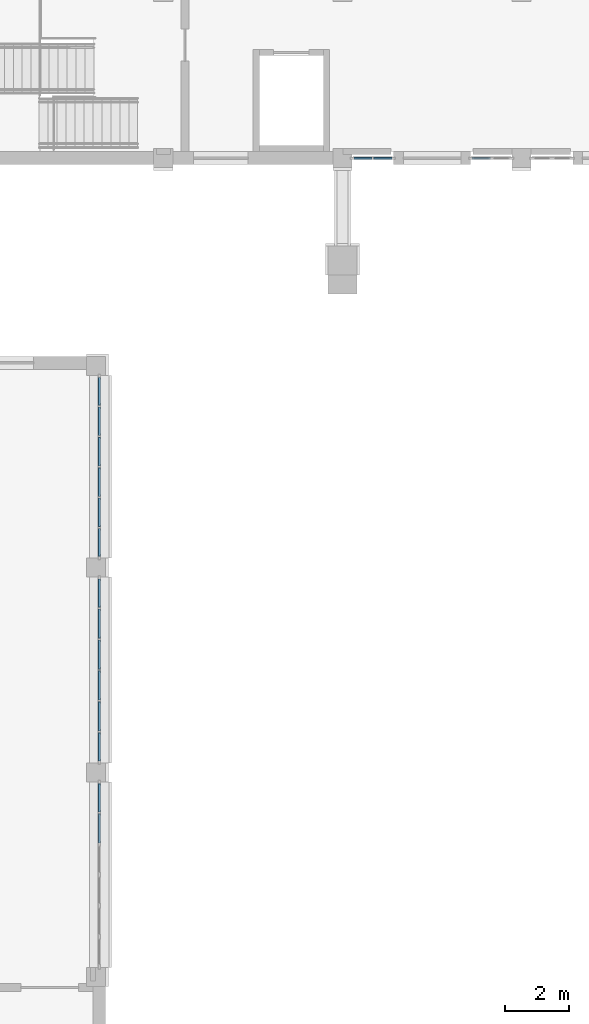
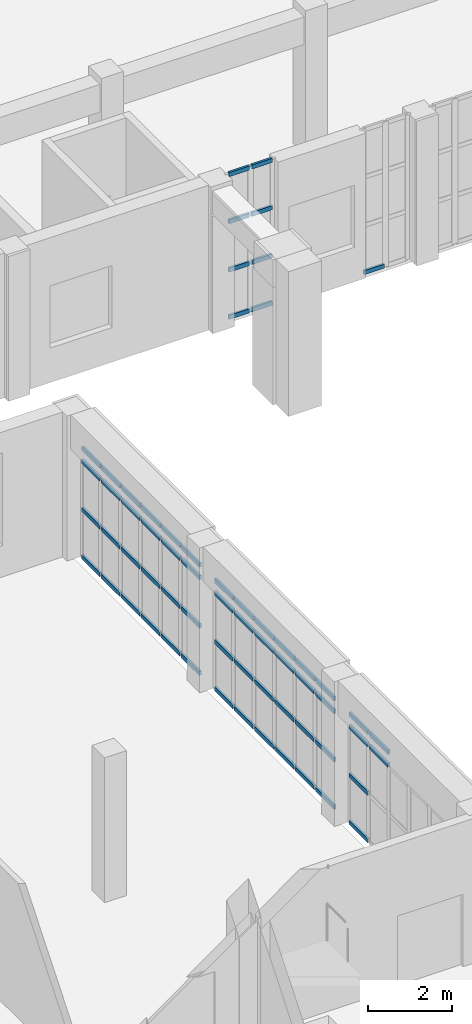
# One storey, part 35 of 99: 63 members, 5 elements without a shape of their own.
"""IFC4 building model written with IfcOpenShell, lengths in metres."""

import ifcopenshell
import ifcopenshell.guid

model = None  # the IFC model being written
_history = None  # IfcOwnerHistory: only IFC2X3 demands one
_inside = {}  # id of a spatial element -> (the spatial element, [elements in it])
_under = {}  # id of a project, library or spatial element -> (it, [spatial elements below it])
_declared = {}  # id of a project -> (the project, [libraries it declares])
_typed = {}  # id of a type object -> (the type object, [elements of that type])
_made_of = {}  # id of a material, layer set ... -> (it, [elements and type objects made of it])


def new_model(schema):
    """Start an empty IFC model of exactly this schema.

    Asked for "IFC4X3", IfcOpenShell would pick the latest addendum, in which some entities
    have other attributes; the version numbers below select the first issue.
    IFC2X3 requires an IfcOwnerHistory on every rooted entity: one is made here for all.
    """
    global model, _history
    if schema == "IFC4X3":
        model = ifcopenshell.file(schema_version=(4, 3, 0, 0))
    else:
        model = ifcopenshell.file(schema=schema)
    _inside.clear()
    _under.clear()
    _declared.clear()
    _typed.clear()
    _made_of.clear()
    _history = None
    if model.schema == "IFC2X3":
        org = make("IfcOrganization", Name="unknown")
        user = make(
            "IfcPersonAndOrganization",
            ThePerson=make("IfcPerson", FamilyName="unknown"),
            TheOrganization=org,
        )
        app = make(
            "IfcApplication",
            ApplicationDeveloper=org,
            Version="unknown",
            ApplicationFullName="unknown",
            ApplicationIdentifier="unknown",
        )
        _history = make(
            "IfcOwnerHistory",
            OwningUser=user,
            OwningApplication=app,
            ChangeAction="ADDED",
            CreationDate=0,
        )
    return model


def make(cls, **values):
    """One entity of the class cls with the attributes given. An attribute that is None is left unset."""
    return model.create_entity(
        cls, **{name: value for name, value in values.items() if value is not None}
    )


def rooted(cls, **values):
    """An entity with a GlobalId (a new one), such as an element, a storey or a relation."""
    return make(cls, GlobalId=ifcopenshell.guid.new(), OwnerHistory=_history, **values)


def si_unit(unit_type, name, prefix=None):
    """IfcSIUnit, for example si_unit("LENGTHUNIT", "METRE", prefix="MILLI")."""
    return make("IfcSIUnit", UnitType=unit_type, Prefix=prefix, Name=name)


def assignment(units):
    """IfcUnitAssignment: the units of a project."""
    return None if units is None else make("IfcUnitAssignment", Units=units)


def point(xyz):
    """IfcCartesianPoint."""
    return None if xyz is None else make("IfcCartesianPoint", Coordinates=xyz)


def direction(xyz):
    """IfcDirection."""
    return None if xyz is None else make("IfcDirection", DirectionRatios=xyz)


def frame(location, z_axis=None, x_axis=None):
    """IfcAxis2Placement3D, a coordinate frame: its origin and axes. An axis left out is left unset."""
    return make(
        "IfcAxis2Placement3D",
        Location=point(location),
        Axis=direction(z_axis),
        RefDirection=direction(x_axis),
    )


def frame_2d(location, x_axis=None):
    """IfcAxis2Placement2D, a coordinate frame in the plane: its origin and x axis."""
    return make(
        "IfcAxis2Placement2D", Location=point(location), RefDirection=direction(x_axis)
    )


def origin():
    """The frame at (0, 0, 0) with its axes left unset."""
    return frame((0.0, 0.0, 0.0))


def origin_2d():
    """The frame at (0, 0) in the plane with its x axis left unset."""
    return frame_2d((0.0, 0.0))


def place(relative_to, where):
    """IfcLocalPlacement: puts the frame where relative to a parent placement (None: the world)."""
    return make(
        "IfcLocalPlacement", PlacementRelTo=relative_to, RelativePlacement=where
    )


def context(
    kind, dimensions, precision=None, world=None, true_north=None, identifier=None
):
    """IfcGeometricRepresentationContext, for example the 3D "Model" context."""
    return make(
        "IfcGeometricRepresentationContext",
        ContextIdentifier=identifier,
        ContextType=kind,
        CoordinateSpaceDimension=dimensions,
        Precision=precision,
        WorldCoordinateSystem=world,
        TrueNorth=true_north,
    )


def subcontext(parent, identifier, kind, view, scale=None):
    """IfcGeometricRepresentationSubContext, for example "Body" below "Model"."""
    return make(
        "IfcGeometricRepresentationSubContext",
        ContextIdentifier=identifier,
        ContextType=kind,
        ParentContext=parent,
        TargetScale=scale,
        TargetView=view,
    )


def project(units=None, contexts=None):
    """IfcProject with its units and contexts."""
    return rooted(
        "IfcProject",
        Name="project",
        RepresentationContexts=contexts,
        UnitsInContext=assignment(units),
    )


def spatial(cls, under=None, at=None, **own):
    """A site, building, storey or space (cls), placed at a placement, below another one or the project."""
    s = rooted(cls, ObjectPlacement=at, **own)
    if under is not None:
        _under.setdefault(under.id(), (under, []))[1].append(s)
    return s


def profile(cls, at=None, kind="AREA", **sizes):
    """A parametric profile (cls). Its sizes go by their IFC names, for example OverallWidth=200.0."""
    return make(cls, ProfileType=kind, Position=at, **sizes)


def rectangle(**sizes):
    """IfcRectangleProfileDef."""
    return profile("IfcRectangleProfileDef", **sizes)


def extrude(swept, where, along, depth):
    """IfcExtrudedAreaSolid: the profile swept, set in the frame where, extruded along a direction by depth."""
    return make(
        "IfcExtrudedAreaSolid",
        SweptArea=swept,
        Position=where,
        ExtrudedDirection=direction(along),
        Depth=depth,
    )


def shape(context_of_items, identifier, shape_type, items):
    """IfcShapeRepresentation: the items that make up one representation, for example the "Body"."""
    return make(
        "IfcShapeRepresentation",
        ContextOfItems=context_of_items,
        RepresentationIdentifier=identifier,
        RepresentationType=shape_type,
        Items=items,
    )


def material(Name=None, Category=None):
    """IfcMaterial."""
    return make("IfcMaterial", Name=Name, Category=Category)


def layer(
    of_material, thickness, ventilated=None, Name=None, Category=None, Priority=None
):
    """IfcMaterialLayer: one layer of a wall or slab, of a material (None: an air gap)."""
    return make(
        "IfcMaterialLayer",
        Material=of_material,
        LayerThickness=thickness,
        IsVentilated=ventilated,
        Name=Name,
        Category=Category,
        Priority=Priority,
    )


def layer_set(layers, Name=None):
    """IfcMaterialLayerSet."""
    return make("IfcMaterialLayerSet", MaterialLayers=layers, LayerSetName=Name)


def material_profile(
    of_material, cross_section, Name=None, Category=None, Priority=None
):
    """IfcMaterialProfile: a cross section and its material."""
    return make(
        "IfcMaterialProfile",
        Name=Name,
        Material=of_material,
        Profile=cross_section,
        Priority=Priority,
        Category=Category,
    )


def profile_set(profiles, Name=None, composite=None):
    """IfcMaterialProfileSet."""
    return make(
        "IfcMaterialProfileSet",
        Name=Name,
        MaterialProfiles=profiles,
        CompositeProfile=composite,
    )


def made_of(thing, what):
    """Note that an element or type object is made of a material, layer set ...; save() writes the relation."""
    if what is not None:
        _made_of.setdefault(what.id(), (what, []))[1].append(thing)
    return thing


def type_object(cls, material=None, **own):
    """A type object (cls), such as IfcWallType, which elements share."""
    return made_of(rooted(cls, **own), material)


def element(
    cls,
    number,
    at=None,
    inside=None,
    cuts=None,
    type_object=None,
    material=None,
    context=None,
    identifier="Body",
    shape_type=None,
    held_by="IfcProductDefinitionShape",
    body=None,
    shapes=None,
    **own,
):
    """One element of the class cls, such as IfcWall. Its Tag is "e" and its number.

    at: its placement. inside: the storey or other place that contains it. cuts: it is an
    opening in that element (IfcRelVoidsElement). A single representation is given by context,
    identifier, shape_type and body (its items); several are given by shapes. held_by: the class
    of the entity that holds the representations. save() writes the other relations.
    """
    e = rooted(cls, Tag="e%d" % number, ObjectPlacement=at, **own)
    if body is not None:
        shapes = [shape(context, identifier, shape_type, body)]
    if shapes is not None:
        e.Representation = make(held_by, Representations=shapes)
    if inside is not None:
        _inside.setdefault(inside.id(), (inside, []))[1].append(e)
    if cuts is not None:
        rooted(
            "IfcRelVoidsElement", RelatingBuildingElement=cuts, RelatedOpeningElement=e
        )
    if type_object is not None:
        _typed.setdefault(type_object.id(), (type_object, []))[1].append(e)
    return made_of(e, material)


def aggregate(whole, parts):
    """IfcRelAggregates: a whole, such as a stair, and the parts it consists of."""
    return rooted("IfcRelAggregates", RelatingObject=whole, RelatedObjects=parts)


def save(model, path):
    """Write the relations noted so far, then the file.

    IfcRelAggregates (storeys below a building ...), IfcRelContainedInSpatialStructure (elements
    in a storey), IfcRelDefinesByType, IfcRelAssociatesMaterial and IfcRelDeclares: one each for
    every whole, place, type object, material and project.
    """
    for whole, parts in _under.values():
        aggregate(whole, parts)
    for where, things in _inside.values():
        rooted(
            "IfcRelContainedInSpatialStructure",
            RelatedElements=things,
            RelatingStructure=where,
        )
    for kind, things in _typed.values():
        rooted("IfcRelDefinesByType", RelatedObjects=things, RelatingType=kind)
    for what, things in _made_of.values():
        rooted("IfcRelAssociatesMaterial", RelatedObjects=things, RelatingMaterial=what)
    for by, libraries in _declared.values():
        rooted("IfcRelDeclares", RelatingContext=by, RelatedDefinitions=libraries)
    model.write(path)


model = new_model("IFC4")

# Units and contexts
model_context = context("Model", 3, precision=1e-05, world=origin(), true_north=direction((0.0, 1.0)))
body_context = subcontext(model_context, "Body", "Model", "MODEL_VIEW")
ifc_project = project(units=[si_unit("LENGTHUNIT", "METRE"), si_unit("AREAUNIT", "SQUARE_METRE"), si_unit("VOLUMEUNIT", "CUBIC_METRE"), si_unit("PLANEANGLEUNIT", "RADIAN"), si_unit("MASSUNIT", "GRAM", prefix="KILO")], contexts=[model_context])

# Site, building, storey
site_placement = place(None, origin())
site = spatial("IfcSite", under=ifc_project, at=site_placement, CompositionType="ELEMENT")
building_placement = place(site_placement, origin())
building = spatial("IfcBuilding", under=site, at=building_placement, Name="Wasatch Bagh Community Centre", CompositionType="ELEMENT")
storey_placement = place(building_placement, frame((0.0, 0.0, 4.199951171875)))
storey = spatial("IfcBuildingStorey", under=building, at=storey_placement, Name="L01", CompositionType="ELEMENT", Elevation=4.199951171875)

# Curtain wall, members
ifc_material = material(Name="Aluminium alloy 6063-T6", Category="aluminium")
ifc_layer_1 = layer(ifc_material, 0.10009765625)
ifc_layer_set_1 = layer_set([ifc_layer_1], Name="Aluminium alloy 6063-T6")
curtain_wall_type_1 = type_object("IfcCurtainWallType", Name="KW-CW2", PredefinedType="NOTDEFINED", material=ifc_layer_set_1)
curtain_wall_1_placement = place(storey_placement, origin())
curtain_wall_1 = element("IfcCurtainWall", 1, at=curtain_wall_1_placement, inside=storey, type_object=curtain_wall_type_1, Name="Curtain wall KW-CW2", PredefinedType="NOTDEFINED")
ifc_material_profile_1 = material_profile(ifc_material, rectangle(XDim=0.06005859375, YDim=0.1201171875, at=origin_2d()), Name="AL 60x120")
ifc_profile_set_1 = profile_set([ifc_material_profile_1], Name="Aluminium alloy 6063-T6")
member_type_1 = type_object("IfcMemberType", Name="KW-CW2 transom", PredefinedType="USERDEFINED", material=ifc_profile_set_1)
member_1_placement = place(storey_placement, frame((115.800048828125, 16.796630859375, 2.800048828125), z_axis=(0.0, 1.0, 0.0), x_axis=(-1.0, 0.0, 0.0)))
member_1 = element("IfcMember", 2, at=member_1_placement, type_object=member_type_1, Name="KW-CW2 transom 5.3", ObjectType="TRANSOM", PredefinedType="USERDEFINED", context=body_context, shape_type="SweptSolid", body=[
    extrude(rectangle(XDim=0.06005859375, YDim=0.1201171875, at=origin_2d()), origin(), (0.0, 0.0, 1.0), 0.90673828125),
])
member_2_placement = place(storey_placement, frame((115.800048828125, 16.796630859375, 3.170166015625), z_axis=(0.0, 1.0, 0.0), x_axis=(-1.0, 0.0, 0.0)))
member_2 = element("IfcMember", 3, at=member_2_placement, type_object=member_type_1, Name="KW-CW2 transom 5.4", ObjectType="TRANSOM", PredefinedType="USERDEFINED", context=body_context, shape_type="SweptSolid", body=[
    extrude(rectangle(XDim=0.06005859375, YDim=0.1201171875, at=origin_2d()), origin(), (0.0, 0.0, 1.0), 0.90673828125),
])
member_3_placement = place(storey_placement, frame((115.800048828125, 17.763427734375, 0.030029296875), z_axis=(0.0, 1.0, 0.0), x_axis=(-1.0, 0.0, 0.0)))
member_3 = element("IfcMember", 4, at=member_3_placement, type_object=member_type_1, Name="KW-CW2 transom 6.1", ObjectType="TRANSOM", PredefinedType="USERDEFINED", context=body_context, shape_type="SweptSolid", body=[
    extrude(rectangle(XDim=0.06005859375, YDim=0.1201171875, at=origin_2d()), origin(), (0.0, 0.0, 1.0), 0.87646484375),
])
member_4_placement = place(storey_placement, frame((115.800048828125, 17.763427734375, 1.400146484375), z_axis=(0.0, 1.0, 0.0), x_axis=(-1.0, 0.0, 0.0)))
member_4 = element("IfcMember", 5, at=member_4_placement, type_object=member_type_1, Name="KW-CW2 transom 6.2", ObjectType="TRANSOM", PredefinedType="USERDEFINED", context=body_context, shape_type="SweptSolid", body=[
    extrude(rectangle(XDim=0.06005859375, YDim=0.1201171875, at=origin_2d()), origin(), (0.0, 0.0, 1.0), 0.87646484375),
])
member_5_placement = place(storey_placement, frame((115.800048828125, 17.763427734375, 2.800048828125), z_axis=(0.0, 1.0, 0.0), x_axis=(-1.0, 0.0, 0.0)))
member_5 = element("IfcMember", 6, at=member_5_placement, type_object=member_type_1, Name="KW-CW2 transom 6.3", ObjectType="TRANSOM", PredefinedType="USERDEFINED", context=body_context, shape_type="SweptSolid", body=[
    extrude(rectangle(XDim=0.06005859375, YDim=0.1201171875, at=origin_2d()), origin(), (0.0, 0.0, 1.0), 0.87646484375),
])
member_6_placement = place(storey_placement, frame((115.800048828125, 17.763427734375, 3.170166015625), z_axis=(0.0, 1.0, 0.0), x_axis=(-1.0, 0.0, 0.0)))
member_6 = element("IfcMember", 7, at=member_6_placement, type_object=member_type_1, Name="KW-CW2 transom 6.4", ObjectType="TRANSOM", PredefinedType="USERDEFINED", context=body_context, shape_type="SweptSolid", body=[
    extrude(rectangle(XDim=0.06005859375, YDim=0.1201171875, at=origin_2d()), origin(), (0.0, 0.0, 1.0), 0.87646484375),
])
aggregate(curtain_wall_1, [member_1, member_2, member_3, member_4, member_5, member_6])

curtain_wall_2_placement = place(storey_placement, origin())
curtain_wall_2 = element("IfcCurtainWall", 8, at=curtain_wall_2_placement, inside=storey, type_object=curtain_wall_type_1, Name="Curtain wall KW-CW2", PredefinedType="NOTDEFINED")
member_7_placement = place(storey_placement, frame((115.800048828125, 19.360107421875, 0.030029296875), z_axis=(0.0, 1.0, 0.0), x_axis=(-1.0, 0.0, 0.0)))
member_7 = element("IfcMember", 9, at=member_7_placement, type_object=member_type_1, Name="KW-CW2 transom 1.1", ObjectType="TRANSOM", PredefinedType="USERDEFINED", context=body_context, shape_type="SweptSolid", body=[
    extrude(rectangle(XDim=0.06005859375, YDim=0.1201171875, at=origin_2d()), origin(), (0.0, 0.0, 1.0), 0.87646484375),
])
member_8_placement = place(storey_placement, frame((115.800048828125, 19.360107421875, 1.400146484375), z_axis=(0.0, 1.0, 0.0), x_axis=(-1.0, 0.0, 0.0)))
member_8 = element("IfcMember", 10, at=member_8_placement, type_object=member_type_1, Name="KW-CW2 transom 1.2", ObjectType="TRANSOM", PredefinedType="USERDEFINED", context=body_context, shape_type="SweptSolid", body=[
    extrude(rectangle(XDim=0.06005859375, YDim=0.1201171875, at=origin_2d()), origin(), (0.0, 0.0, 1.0), 0.87646484375),
])
member_9_placement = place(storey_placement, frame((115.800048828125, 19.360107421875, 2.800048828125), z_axis=(0.0, 1.0, 0.0), x_axis=(-1.0, 0.0, 0.0)))
member_9 = element("IfcMember", 11, at=member_9_placement, type_object=member_type_1, Name="KW-CW2 transom 1.3", ObjectType="TRANSOM", PredefinedType="USERDEFINED", context=body_context, shape_type="SweptSolid", body=[
    extrude(rectangle(XDim=0.06005859375, YDim=0.1201171875, at=origin_2d()), origin(), (0.0, 0.0, 1.0), 0.87646484375),
])
member_10_placement = place(storey_placement, frame((115.800048828125, 19.360107421875, 3.170166015625), z_axis=(0.0, 1.0, 0.0), x_axis=(-1.0, 0.0, 0.0)))
member_10 = element("IfcMember", 12, at=member_10_placement, type_object=member_type_1, Name="KW-CW2 transom 1.4", ObjectType="TRANSOM", PredefinedType="USERDEFINED", context=body_context, shape_type="SweptSolid", body=[
    extrude(rectangle(XDim=0.06005859375, YDim=0.1201171875, at=origin_2d()), origin(), (0.0, 0.0, 1.0), 0.87646484375),
])
member_11_placement = place(storey_placement, frame((115.800048828125, 20.296630859375, 0.030029296875), z_axis=(0.0, 1.0, 0.0), x_axis=(-1.0, 0.0, 0.0)))
member_11 = element("IfcMember", 13, at=member_11_placement, type_object=member_type_1, Name="KW-CW2 transom 2.1", ObjectType="TRANSOM", PredefinedType="USERDEFINED", context=body_context, shape_type="SweptSolid", body=[
    extrude(rectangle(XDim=0.06005859375, YDim=0.1201171875, at=origin_2d()), origin(), (0.0, 0.0, 1.0), 0.90673828125),
])
member_12_placement = place(storey_placement, frame((115.800048828125, 20.296630859375, 1.400146484375), z_axis=(0.0, 1.0, 0.0), x_axis=(-1.0, 0.0, 0.0)))
member_12 = element("IfcMember", 14, at=member_12_placement, type_object=member_type_1, Name="KW-CW2 transom 2.2", ObjectType="TRANSOM", PredefinedType="USERDEFINED", context=body_context, shape_type="SweptSolid", body=[
    extrude(rectangle(XDim=0.06005859375, YDim=0.1201171875, at=origin_2d()), origin(), (0.0, 0.0, 1.0), 0.90673828125),
])
member_13_placement = place(storey_placement, frame((115.800048828125, 20.296630859375, 2.800048828125), z_axis=(0.0, 1.0, 0.0), x_axis=(-1.0, 0.0, 0.0)))
member_13 = element("IfcMember", 15, at=member_13_placement, type_object=member_type_1, Name="KW-CW2 transom 2.3", ObjectType="TRANSOM", PredefinedType="USERDEFINED", context=body_context, shape_type="SweptSolid", body=[
    extrude(rectangle(XDim=0.06005859375, YDim=0.1201171875, at=origin_2d()), origin(), (0.0, 0.0, 1.0), 0.90673828125),
])
member_14_placement = place(storey_placement, frame((115.800048828125, 20.296630859375, 3.170166015625), z_axis=(0.0, 1.0, 0.0), x_axis=(-1.0, 0.0, 0.0)))
member_14 = element("IfcMember", 16, at=member_14_placement, type_object=member_type_1, Name="KW-CW2 transom 2.4", ObjectType="TRANSOM", PredefinedType="USERDEFINED", context=body_context, shape_type="SweptSolid", body=[
    extrude(rectangle(XDim=0.06005859375, YDim=0.1201171875, at=origin_2d()), origin(), (0.0, 0.0, 1.0), 0.90673828125),
])
member_15_placement = place(storey_placement, frame((115.800048828125, 21.263427734375, 0.030029296875), z_axis=(0.0, 1.0, 0.0), x_axis=(-1.0, 0.0, 0.0)))
member_15 = element("IfcMember", 17, at=member_15_placement, type_object=member_type_1, Name="KW-CW2 transom 3.1", ObjectType="TRANSOM", PredefinedType="USERDEFINED", context=body_context, shape_type="SweptSolid", body=[
    extrude(rectangle(XDim=0.06005859375, YDim=0.1201171875, at=origin_2d()), origin(), (0.0, 0.0, 1.0), 0.906494140625),
])
member_16_placement = place(storey_placement, frame((115.800048828125, 21.263427734375, 1.400146484375), z_axis=(0.0, 1.0, 0.0), x_axis=(-1.0, 0.0, 0.0)))
member_16 = element("IfcMember", 18, at=member_16_placement, type_object=member_type_1, Name="KW-CW2 transom 3.2", ObjectType="TRANSOM", PredefinedType="USERDEFINED", context=body_context, shape_type="SweptSolid", body=[
    extrude(rectangle(XDim=0.06005859375, YDim=0.1201171875, at=origin_2d()), origin(), (0.0, 0.0, 1.0), 0.906494140625),
])
member_17_placement = place(storey_placement, frame((115.800048828125, 21.263427734375, 2.800048828125), z_axis=(0.0, 1.0, 0.0), x_axis=(-1.0, 0.0, 0.0)))
member_17 = element("IfcMember", 19, at=member_17_placement, type_object=member_type_1, Name="KW-CW2 transom 3.3", ObjectType="TRANSOM", PredefinedType="USERDEFINED", context=body_context, shape_type="SweptSolid", body=[
    extrude(rectangle(XDim=0.06005859375, YDim=0.1201171875, at=origin_2d()), origin(), (0.0, 0.0, 1.0), 0.906494140625),
])
member_18_placement = place(storey_placement, frame((115.800048828125, 21.263427734375, 3.170166015625), z_axis=(0.0, 1.0, 0.0), x_axis=(-1.0, 0.0, 0.0)))
member_18 = element("IfcMember", 20, at=member_18_placement, type_object=member_type_1, Name="KW-CW2 transom 3.4", ObjectType="TRANSOM", PredefinedType="USERDEFINED", context=body_context, shape_type="SweptSolid", body=[
    extrude(rectangle(XDim=0.06005859375, YDim=0.1201171875, at=origin_2d()), origin(), (0.0, 0.0, 1.0), 0.906494140625),
])
member_19_placement = place(storey_placement, frame((115.800048828125, 22.22998046875, 0.030029296875), z_axis=(0.0, 1.0, 0.0), x_axis=(-1.0, 0.0, 0.0)))
member_19 = element("IfcMember", 21, at=member_19_placement, type_object=member_type_1, Name="KW-CW2 transom 4.1", ObjectType="TRANSOM", PredefinedType="USERDEFINED", context=body_context, shape_type="SweptSolid", body=[
    extrude(rectangle(XDim=0.06005859375, YDim=0.1201171875, at=origin_2d()), origin(), (0.0, 0.0, 1.0), 0.90673828125),
])
member_20_placement = place(storey_placement, frame((115.800048828125, 22.22998046875, 1.400146484375), z_axis=(0.0, 1.0, 0.0), x_axis=(-1.0, 0.0, 0.0)))
member_20 = element("IfcMember", 22, at=member_20_placement, type_object=member_type_1, Name="KW-CW2 transom 4.2", ObjectType="TRANSOM", PredefinedType="USERDEFINED", context=body_context, shape_type="SweptSolid", body=[
    extrude(rectangle(XDim=0.06005859375, YDim=0.1201171875, at=origin_2d()), origin(), (0.0, 0.0, 1.0), 0.90673828125),
])
member_21_placement = place(storey_placement, frame((115.800048828125, 22.22998046875, 2.800048828125), z_axis=(0.0, 1.0, 0.0), x_axis=(-1.0, 0.0, 0.0)))
member_21 = element("IfcMember", 23, at=member_21_placement, type_object=member_type_1, Name="KW-CW2 transom 4.3", ObjectType="TRANSOM", PredefinedType="USERDEFINED", context=body_context, shape_type="SweptSolid", body=[
    extrude(rectangle(XDim=0.06005859375, YDim=0.1201171875, at=origin_2d()), origin(), (0.0, 0.0, 1.0), 0.90673828125),
])
member_22_placement = place(storey_placement, frame((115.800048828125, 22.22998046875, 3.170166015625), z_axis=(0.0, 1.0, 0.0), x_axis=(-1.0, 0.0, 0.0)))
member_22 = element("IfcMember", 24, at=member_22_placement, type_object=member_type_1, Name="KW-CW2 transom 4.4", ObjectType="TRANSOM", PredefinedType="USERDEFINED", context=body_context, shape_type="SweptSolid", body=[
    extrude(rectangle(XDim=0.06005859375, YDim=0.1201171875, at=origin_2d()), origin(), (0.0, 0.0, 1.0), 0.90673828125),
])
member_23_placement = place(storey_placement, frame((115.800048828125, 23.19677734375, 0.030029296875), z_axis=(0.0, 1.0, 0.0), x_axis=(-1.0, 0.0, 0.0)))
member_23 = element("IfcMember", 25, at=member_23_placement, type_object=member_type_1, Name="KW-CW2 transom 5.1", ObjectType="TRANSOM", PredefinedType="USERDEFINED", context=body_context, shape_type="SweptSolid", body=[
    extrude(rectangle(XDim=0.06005859375, YDim=0.1201171875, at=origin_2d()), origin(), (0.0, 0.0, 1.0), 0.906494140625),
])
member_24_placement = place(storey_placement, frame((115.800048828125, 23.19677734375, 1.400146484375), z_axis=(0.0, 1.0, 0.0), x_axis=(-1.0, 0.0, 0.0)))
member_24 = element("IfcMember", 26, at=member_24_placement, type_object=member_type_1, Name="KW-CW2 transom 5.2", ObjectType="TRANSOM", PredefinedType="USERDEFINED", context=body_context, shape_type="SweptSolid", body=[
    extrude(rectangle(XDim=0.06005859375, YDim=0.1201171875, at=origin_2d()), origin(), (0.0, 0.0, 1.0), 0.906494140625),
])
member_25_placement = place(storey_placement, frame((115.800048828125, 23.19677734375, 2.800048828125), z_axis=(0.0, 1.0, 0.0), x_axis=(-1.0, 0.0, 0.0)))
member_25 = element("IfcMember", 27, at=member_25_placement, type_object=member_type_1, Name="KW-CW2 transom 5.3", ObjectType="TRANSOM", PredefinedType="USERDEFINED", context=body_context, shape_type="SweptSolid", body=[
    extrude(rectangle(XDim=0.06005859375, YDim=0.1201171875, at=origin_2d()), origin(), (0.0, 0.0, 1.0), 0.906494140625),
])
member_26_placement = place(storey_placement, frame((115.800048828125, 23.19677734375, 3.170166015625), z_axis=(0.0, 1.0, 0.0), x_axis=(-1.0, 0.0, 0.0)))
member_26 = element("IfcMember", 28, at=member_26_placement, type_object=member_type_1, Name="KW-CW2 transom 5.4", ObjectType="TRANSOM", PredefinedType="USERDEFINED", context=body_context, shape_type="SweptSolid", body=[
    extrude(rectangle(XDim=0.06005859375, YDim=0.1201171875, at=origin_2d()), origin(), (0.0, 0.0, 1.0), 0.906494140625),
])
member_27_placement = place(storey_placement, frame((115.800048828125, 24.163330078125, 0.030029296875), z_axis=(0.0, 1.0, 0.0), x_axis=(-1.0, 0.0, 0.0)))
member_27 = element("IfcMember", 29, at=member_27_placement, type_object=member_type_1, Name="KW-CW2 transom 6.1", ObjectType="TRANSOM", PredefinedType="USERDEFINED", context=body_context, shape_type="SweptSolid", body=[
    extrude(rectangle(XDim=0.06005859375, YDim=0.1201171875, at=origin_2d()), origin(), (0.0, 0.0, 1.0), 0.876708984375),
])
member_28_placement = place(storey_placement, frame((115.800048828125, 24.163330078125, 1.400146484375), z_axis=(0.0, 1.0, 0.0), x_axis=(-1.0, 0.0, 0.0)))
member_28 = element("IfcMember", 30, at=member_28_placement, type_object=member_type_1, Name="KW-CW2 transom 6.2", ObjectType="TRANSOM", PredefinedType="USERDEFINED", context=body_context, shape_type="SweptSolid", body=[
    extrude(rectangle(XDim=0.06005859375, YDim=0.1201171875, at=origin_2d()), origin(), (0.0, 0.0, 1.0), 0.876708984375),
])
member_29_placement = place(storey_placement, frame((115.800048828125, 24.163330078125, 2.800048828125), z_axis=(0.0, 1.0, 0.0), x_axis=(-1.0, 0.0, 0.0)))
member_29 = element("IfcMember", 31, at=member_29_placement, type_object=member_type_1, Name="KW-CW2 transom 6.3", ObjectType="TRANSOM", PredefinedType="USERDEFINED", context=body_context, shape_type="SweptSolid", body=[
    extrude(rectangle(XDim=0.06005859375, YDim=0.1201171875, at=origin_2d()), origin(), (0.0, 0.0, 1.0), 0.876708984375),
])
member_30_placement = place(storey_placement, frame((115.800048828125, 24.163330078125, 3.170166015625), z_axis=(0.0, 1.0, 0.0), x_axis=(-1.0, 0.0, 0.0)))
member_30 = element("IfcMember", 32, at=member_30_placement, type_object=member_type_1, Name="KW-CW2 transom 6.4", ObjectType="TRANSOM", PredefinedType="USERDEFINED", context=body_context, shape_type="SweptSolid", body=[
    extrude(rectangle(XDim=0.06005859375, YDim=0.1201171875, at=origin_2d()), origin(), (0.0, 0.0, 1.0), 0.876708984375),
])
aggregate(curtain_wall_2, [member_7, member_8, member_9, member_10, member_11, member_12, member_13, member_14, member_15, member_16, member_17, member_18, member_19, member_20, member_21, member_22, member_23, member_24, member_25, member_26, member_27, member_28, member_29, member_30])

ifc_layer_2 = layer(ifc_material, 0.10009765625)
ifc_layer_set_2 = layer_set([ifc_layer_2], Name="Aluminium alloy 6063-T6")
curtain_wall_type_2 = type_object("IfcCurtainWallType", Name="KW-CW3", PredefinedType="NOTDEFINED", material=ifc_layer_set_2)
curtain_wall_3_placement = place(storey_placement, origin())
curtain_wall_3 = element("IfcCurtainWall", 33, at=curtain_wall_3_placement, inside=storey, type_object=curtain_wall_type_2, Name="Curtain wall KW-CW3", PredefinedType="NOTDEFINED")
ifc_material_profile_2 = material_profile(ifc_material, rectangle(XDim=0.06005859375, YDim=0.1201171875, at=origin_2d()), Name="AL 60x120")
ifc_profile_set_2 = profile_set([ifc_material_profile_2], Name="Aluminium alloy 6063-T6")
member_type_2 = type_object("IfcMemberType", Name="KW-CW3 transom", PredefinedType="USERDEFINED", material=ifc_profile_set_2)
member_31_placement = place(storey_placement, frame((115.800048828125, 25.760009765625, 0.030029296875), z_axis=(0.0, 1.0, 0.0), x_axis=(-1.0, 0.0, 0.0)))
member_31 = element("IfcMember", 34, at=member_31_placement, type_object=member_type_2, Name="KW-CW3 transom 1.1", ObjectType="TRANSOM", PredefinedType="USERDEFINED", context=body_context, shape_type="SweptSolid", body=[
    extrude(rectangle(XDim=0.06005859375, YDim=0.1201171875, at=origin_2d()), origin(), (0.0, 0.0, 1.0), 0.860107421875),
])
member_32_placement = place(storey_placement, frame((115.800048828125, 25.760009765625, 1.400146484375), z_axis=(0.0, 1.0, 0.0), x_axis=(-1.0, 0.0, 0.0)))
member_32 = element("IfcMember", 35, at=member_32_placement, type_object=member_type_2, Name="KW-CW3 transom 1.2", ObjectType="TRANSOM", PredefinedType="USERDEFINED", context=body_context, shape_type="SweptSolid", body=[
    extrude(rectangle(XDim=0.06005859375, YDim=0.1201171875, at=origin_2d()), origin(), (0.0, 0.0, 1.0), 0.860107421875),
])
member_33_placement = place(storey_placement, frame((115.800048828125, 25.760009765625, 2.800048828125), z_axis=(0.0, 1.0, 0.0), x_axis=(-1.0, 0.0, 0.0)))
member_33 = element("IfcMember", 36, at=member_33_placement, type_object=member_type_2, Name="KW-CW3 transom 1.3", ObjectType="TRANSOM", PredefinedType="USERDEFINED", context=body_context, shape_type="SweptSolid", body=[
    extrude(rectangle(XDim=0.06005859375, YDim=0.1201171875, at=origin_2d()), origin(), (0.0, 0.0, 1.0), 0.860107421875),
])
member_34_placement = place(storey_placement, frame((115.800048828125, 25.760009765625, 3.170166015625), z_axis=(0.0, 1.0, 0.0), x_axis=(-1.0, 0.0, 0.0)))
member_34 = element("IfcMember", 37, at=member_34_placement, type_object=member_type_2, Name="KW-CW3 transom 1.4", ObjectType="TRANSOM", PredefinedType="USERDEFINED", context=body_context, shape_type="SweptSolid", body=[
    extrude(rectangle(XDim=0.06005859375, YDim=0.1201171875, at=origin_2d()), origin(), (0.0, 0.0, 1.0), 0.860107421875),
])
member_35_placement = place(storey_placement, frame((115.800048828125, 26.679931640625, 0.030029296875), z_axis=(0.0, 1.0, 0.0), x_axis=(-1.0, 0.0, 0.0)))
member_35 = element("IfcMember", 38, at=member_35_placement, type_object=member_type_2, Name="KW-CW3 transom 2.1", ObjectType="TRANSOM", PredefinedType="USERDEFINED", context=body_context, shape_type="SweptSolid", body=[
    extrude(rectangle(XDim=0.06005859375, YDim=0.1201171875, at=origin_2d()), origin(), (0.0, 0.0, 1.0), 0.89013671875),
])
member_36_placement = place(storey_placement, frame((115.800048828125, 26.679931640625, 1.400146484375), z_axis=(0.0, 1.0, 0.0), x_axis=(-1.0, 0.0, 0.0)))
member_36 = element("IfcMember", 39, at=member_36_placement, type_object=member_type_2, Name="KW-CW3 transom 2.2", ObjectType="TRANSOM", PredefinedType="USERDEFINED", context=body_context, shape_type="SweptSolid", body=[
    extrude(rectangle(XDim=0.06005859375, YDim=0.1201171875, at=origin_2d()), origin(), (0.0, 0.0, 1.0), 0.89013671875),
])
member_37_placement = place(storey_placement, frame((115.800048828125, 26.679931640625, 2.800048828125), z_axis=(0.0, 1.0, 0.0), x_axis=(-1.0, 0.0, 0.0)))
member_37 = element("IfcMember", 40, at=member_37_placement, type_object=member_type_2, Name="KW-CW3 transom 2.3", ObjectType="TRANSOM", PredefinedType="USERDEFINED", context=body_context, shape_type="SweptSolid", body=[
    extrude(rectangle(XDim=0.06005859375, YDim=0.1201171875, at=origin_2d()), origin(), (0.0, 0.0, 1.0), 0.89013671875),
])
member_38_placement = place(storey_placement, frame((115.800048828125, 26.679931640625, 3.170166015625), z_axis=(0.0, 1.0, 0.0), x_axis=(-1.0, 0.0, 0.0)))
member_38 = element("IfcMember", 41, at=member_38_placement, type_object=member_type_2, Name="KW-CW3 transom 2.4", ObjectType="TRANSOM", PredefinedType="USERDEFINED", context=body_context, shape_type="SweptSolid", body=[
    extrude(rectangle(XDim=0.06005859375, YDim=0.1201171875, at=origin_2d()), origin(), (0.0, 0.0, 1.0), 0.89013671875),
])
member_39_placement = place(storey_placement, frame((115.800048828125, 27.6298828125, 0.030029296875), z_axis=(0.0, 1.0, 0.0), x_axis=(-1.0, 0.0, 0.0)))
member_39 = element("IfcMember", 42, at=member_39_placement, type_object=member_type_2, Name="KW-CW3 transom 3.1", ObjectType="TRANSOM", PredefinedType="USERDEFINED", context=body_context, shape_type="SweptSolid", body=[
    extrude(rectangle(XDim=0.06005859375, YDim=0.1201171875, at=origin_2d()), origin(), (0.0, 0.0, 1.0), 0.89013671875),
])
member_40_placement = place(storey_placement, frame((115.800048828125, 27.6298828125, 1.400146484375), z_axis=(0.0, 1.0, 0.0), x_axis=(-1.0, 0.0, 0.0)))
member_40 = element("IfcMember", 43, at=member_40_placement, type_object=member_type_2, Name="KW-CW3 transom 3.2", ObjectType="TRANSOM", PredefinedType="USERDEFINED", context=body_context, shape_type="SweptSolid", body=[
    extrude(rectangle(XDim=0.06005859375, YDim=0.1201171875, at=origin_2d()), origin(), (0.0, 0.0, 1.0), 0.89013671875),
])
member_41_placement = place(storey_placement, frame((115.800048828125, 27.6298828125, 2.800048828125), z_axis=(0.0, 1.0, 0.0), x_axis=(-1.0, 0.0, 0.0)))
member_41 = element("IfcMember", 44, at=member_41_placement, type_object=member_type_2, Name="KW-CW3 transom 3.3", ObjectType="TRANSOM", PredefinedType="USERDEFINED", context=body_context, shape_type="SweptSolid", body=[
    extrude(rectangle(XDim=0.06005859375, YDim=0.1201171875, at=origin_2d()), origin(), (0.0, 0.0, 1.0), 0.89013671875),
])
member_42_placement = place(storey_placement, frame((115.800048828125, 27.6298828125, 3.170166015625), z_axis=(0.0, 1.0, 0.0), x_axis=(-1.0, 0.0, 0.0)))
member_42 = element("IfcMember", 45, at=member_42_placement, type_object=member_type_2, Name="KW-CW3 transom 3.4", ObjectType="TRANSOM", PredefinedType="USERDEFINED", context=body_context, shape_type="SweptSolid", body=[
    extrude(rectangle(XDim=0.06005859375, YDim=0.1201171875, at=origin_2d()), origin(), (0.0, 0.0, 1.0), 0.89013671875),
])
member_43_placement = place(storey_placement, frame((115.800048828125, 28.580078125, 0.030029296875), z_axis=(0.0, 1.0, 0.0), x_axis=(-1.0, 0.0, 0.0)))
member_43 = element("IfcMember", 46, at=member_43_placement, type_object=member_type_2, Name="KW-CW3 transom 4.1", ObjectType="TRANSOM", PredefinedType="USERDEFINED", context=body_context, shape_type="SweptSolid", body=[
    extrude(rectangle(XDim=0.06005859375, YDim=0.1201171875, at=origin_2d()), origin(), (0.0, 0.0, 1.0), 0.889892578125),
])
member_44_placement = place(storey_placement, frame((115.800048828125, 28.580078125, 1.400146484375), z_axis=(0.0, 1.0, 0.0), x_axis=(-1.0, 0.0, 0.0)))
member_44 = element("IfcMember", 47, at=member_44_placement, type_object=member_type_2, Name="KW-CW3 transom 4.2", ObjectType="TRANSOM", PredefinedType="USERDEFINED", context=body_context, shape_type="SweptSolid", body=[
    extrude(rectangle(XDim=0.06005859375, YDim=0.1201171875, at=origin_2d()), origin(), (0.0, 0.0, 1.0), 0.889892578125),
])
member_45_placement = place(storey_placement, frame((115.800048828125, 28.580078125, 2.800048828125), z_axis=(0.0, 1.0, 0.0), x_axis=(-1.0, 0.0, 0.0)))
member_45 = element("IfcMember", 48, at=member_45_placement, type_object=member_type_2, Name="KW-CW3 transom 4.3", ObjectType="TRANSOM", PredefinedType="USERDEFINED", context=body_context, shape_type="SweptSolid", body=[
    extrude(rectangle(XDim=0.06005859375, YDim=0.1201171875, at=origin_2d()), origin(), (0.0, 0.0, 1.0), 0.889892578125),
])
member_46_placement = place(storey_placement, frame((115.800048828125, 28.580078125, 3.170166015625), z_axis=(0.0, 1.0, 0.0), x_axis=(-1.0, 0.0, 0.0)))
member_46 = element("IfcMember", 49, at=member_46_placement, type_object=member_type_2, Name="KW-CW3 transom 4.4", ObjectType="TRANSOM", PredefinedType="USERDEFINED", context=body_context, shape_type="SweptSolid", body=[
    extrude(rectangle(XDim=0.06005859375, YDim=0.1201171875, at=origin_2d()), origin(), (0.0, 0.0, 1.0), 0.889892578125),
])
member_47_placement = place(storey_placement, frame((115.800048828125, 29.530029296875, 0.030029296875), z_axis=(0.0, 1.0, 0.0), x_axis=(-1.0, 0.0, 0.0)))
member_47 = element("IfcMember", 50, at=member_47_placement, type_object=member_type_2, Name="KW-CW3 transom 5.1", ObjectType="TRANSOM", PredefinedType="USERDEFINED", context=body_context, shape_type="SweptSolid", body=[
    extrude(rectangle(XDim=0.06005859375, YDim=0.1201171875, at=origin_2d()), origin(), (0.0, 0.0, 1.0), 0.889892578125),
])
member_48_placement = place(storey_placement, frame((115.800048828125, 29.530029296875, 1.400146484375), z_axis=(0.0, 1.0, 0.0), x_axis=(-1.0, 0.0, 0.0)))
member_48 = element("IfcMember", 51, at=member_48_placement, type_object=member_type_2, Name="KW-CW3 transom 5.2", ObjectType="TRANSOM", PredefinedType="USERDEFINED", context=body_context, shape_type="SweptSolid", body=[
    extrude(rectangle(XDim=0.06005859375, YDim=0.1201171875, at=origin_2d()), origin(), (0.0, 0.0, 1.0), 0.889892578125),
])
member_49_placement = place(storey_placement, frame((115.800048828125, 29.530029296875, 2.800048828125), z_axis=(0.0, 1.0, 0.0), x_axis=(-1.0, 0.0, 0.0)))
member_49 = element("IfcMember", 52, at=member_49_placement, type_object=member_type_2, Name="KW-CW3 transom 5.3", ObjectType="TRANSOM", PredefinedType="USERDEFINED", context=body_context, shape_type="SweptSolid", body=[
    extrude(rectangle(XDim=0.06005859375, YDim=0.1201171875, at=origin_2d()), origin(), (0.0, 0.0, 1.0), 0.889892578125),
])
member_50_placement = place(storey_placement, frame((115.800048828125, 29.530029296875, 3.170166015625), z_axis=(0.0, 1.0, 0.0), x_axis=(-1.0, 0.0, 0.0)))
member_50 = element("IfcMember", 53, at=member_50_placement, type_object=member_type_2, Name="KW-CW3 transom 5.4", ObjectType="TRANSOM", PredefinedType="USERDEFINED", context=body_context, shape_type="SweptSolid", body=[
    extrude(rectangle(XDim=0.06005859375, YDim=0.1201171875, at=origin_2d()), origin(), (0.0, 0.0, 1.0), 0.889892578125),
])
member_51_placement = place(storey_placement, frame((115.800048828125, 30.47998046875, 0.030029296875), z_axis=(0.0, 1.0, 0.0), x_axis=(-1.0, 0.0, 0.0)))
member_51 = element("IfcMember", 54, at=member_51_placement, type_object=member_type_2, Name="KW-CW3 transom 6.1", ObjectType="TRANSOM", PredefinedType="USERDEFINED", context=body_context, shape_type="SweptSolid", body=[
    extrude(rectangle(XDim=0.06005859375, YDim=0.1201171875, at=origin_2d()), origin(), (0.0, 0.0, 1.0), 0.860107421875),
])
member_52_placement = place(storey_placement, frame((115.800048828125, 30.47998046875, 1.400146484375), z_axis=(0.0, 1.0, 0.0), x_axis=(-1.0, 0.0, 0.0)))
member_52 = element("IfcMember", 55, at=member_52_placement, type_object=member_type_2, Name="KW-CW3 transom 6.2", ObjectType="TRANSOM", PredefinedType="USERDEFINED", context=body_context, shape_type="SweptSolid", body=[
    extrude(rectangle(XDim=0.06005859375, YDim=0.1201171875, at=origin_2d()), origin(), (0.0, 0.0, 1.0), 0.860107421875),
])
member_53_placement = place(storey_placement, frame((115.800048828125, 30.47998046875, 2.800048828125), z_axis=(0.0, 1.0, 0.0), x_axis=(-1.0, 0.0, 0.0)))
member_53 = element("IfcMember", 56, at=member_53_placement, type_object=member_type_2, Name="KW-CW3 transom 6.3", ObjectType="TRANSOM", PredefinedType="USERDEFINED", context=body_context, shape_type="SweptSolid", body=[
    extrude(rectangle(XDim=0.06005859375, YDim=0.1201171875, at=origin_2d()), origin(), (0.0, 0.0, 1.0), 0.860107421875),
])
member_54_placement = place(storey_placement, frame((115.800048828125, 30.47998046875, 3.170166015625), z_axis=(0.0, 1.0, 0.0), x_axis=(-1.0, 0.0, 0.0)))
member_54 = element("IfcMember", 57, at=member_54_placement, type_object=member_type_2, Name="KW-CW3 transom 6.4", ObjectType="TRANSOM", PredefinedType="USERDEFINED", context=body_context, shape_type="SweptSolid", body=[
    extrude(rectangle(XDim=0.06005859375, YDim=0.1201171875, at=origin_2d()), origin(), (0.0, 0.0, 1.0), 0.860107421875),
])
aggregate(curtain_wall_3, [member_31, member_32, member_33, member_34, member_35, member_36, member_37, member_38, member_39, member_40, member_41, member_42, member_43, member_44, member_45, member_46, member_47, member_48, member_49, member_50, member_51, member_52, member_53, member_54])

ifc_layer_3 = layer(ifc_material, 0.10009765625)
ifc_layer_set_3 = layer_set([ifc_layer_3], Name="Aluminium alloy 6063-T6")
curtain_wall_type_3 = type_object("IfcCurtainWallType", Name="SH-CW1", PredefinedType="NOTDEFINED", material=ifc_layer_set_3)
curtain_wall_4_placement = place(storey_placement, origin())
curtain_wall_4 = element("IfcCurtainWall", 58, at=curtain_wall_4_placement, inside=storey, type_object=curtain_wall_type_3, Name="Curtain wall SH-CW1", PredefinedType="NOTDEFINED")
ifc_material_profile_3 = material_profile(ifc_material, rectangle(XDim=0.06005859375, YDim=0.1201171875, at=origin_2d()), Name="AL 60x120")
ifc_profile_set_3 = profile_set([ifc_material_profile_3], Name="Aluminium alloy 6063-T6")
member_type_3 = type_object("IfcMemberType", Name="SH-CW1 transom", PredefinedType="USERDEFINED", material=ifc_profile_set_3)
member_55_placement = place(storey_placement, frame((123.760009765625, 38.199951171875, 0.030029296875), z_axis=(1.0, 0.0, 0.0), x_axis=(0.0, 1.0, 0.0)))
member_55 = element("IfcMember", 59, at=member_55_placement, type_object=member_type_3, Name="SH-CW1 transom 1.1", ObjectType="TRANSOM", PredefinedType="USERDEFINED", context=body_context, shape_type="SweptSolid", body=[
    extrude(rectangle(XDim=0.06005859375, YDim=0.1201171875, at=origin_2d()), origin(), (0.0, 0.0, 1.0), 0.56005859375),
])
member_56_placement = place(storey_placement, frame((123.760009765625, 38.199951171875, 1.400146484375), z_axis=(1.0, 0.0, 0.0), x_axis=(0.0, 1.0, 0.0)))
member_56 = element("IfcMember", 60, at=member_56_placement, type_object=member_type_3, Name="SH-CW1 transom 1.2", ObjectType="TRANSOM", PredefinedType="USERDEFINED", context=body_context, shape_type="SweptSolid", body=[
    extrude(rectangle(XDim=0.06005859375, YDim=0.1201171875, at=origin_2d()), origin(), (0.0, 0.0, 1.0), 0.56005859375),
])
member_57_placement = place(storey_placement, frame((123.760009765625, 38.199951171875, 2.800048828125), z_axis=(1.0, 0.0, 0.0), x_axis=(0.0, 1.0, 0.0)))
member_57 = element("IfcMember", 61, at=member_57_placement, type_object=member_type_3, Name="SH-CW1 transom 1.3", ObjectType="TRANSOM", PredefinedType="USERDEFINED", context=body_context, shape_type="SweptSolid", body=[
    extrude(rectangle(XDim=0.06005859375, YDim=0.1201171875, at=origin_2d()), origin(), (0.0, 0.0, 1.0), 0.56005859375),
])
member_58_placement = place(storey_placement, frame((123.760009765625, 38.199951171875, 4.170166015625), z_axis=(1.0, 0.0, 0.0), x_axis=(0.0, 1.0, 0.0)))
member_58 = element("IfcMember", 62, at=member_58_placement, type_object=member_type_3, Name="SH-CW1 transom 1.4", ObjectType="TRANSOM", PredefinedType="USERDEFINED", context=body_context, shape_type="SweptSolid", body=[
    extrude(rectangle(XDim=0.06005859375, YDim=0.1201171875, at=origin_2d()), origin(), (0.0, 0.0, 1.0), 0.56005859375),
])
member_59_placement = place(storey_placement, frame((124.3798828125, 38.199951171875, 0.030029296875), z_axis=(1.0, 0.0, 0.0), x_axis=(0.0, 1.0, 0.0)))
member_59 = element("IfcMember", 63, at=member_59_placement, type_object=member_type_3, Name="SH-CW1 transom 2.1", ObjectType="TRANSOM", PredefinedType="USERDEFINED", context=body_context, shape_type="SweptSolid", body=[
    extrude(rectangle(XDim=0.06005859375, YDim=0.1201171875, at=origin_2d()), origin(), (0.0, 0.0, 1.0), 0.56005859375),
])
member_60_placement = place(storey_placement, frame((124.3798828125, 38.199951171875, 1.400146484375), z_axis=(1.0, 0.0, 0.0), x_axis=(0.0, 1.0, 0.0)))
member_60 = element("IfcMember", 64, at=member_60_placement, type_object=member_type_3, Name="SH-CW1 transom 2.2", ObjectType="TRANSOM", PredefinedType="USERDEFINED", context=body_context, shape_type="SweptSolid", body=[
    extrude(rectangle(XDim=0.06005859375, YDim=0.1201171875, at=origin_2d()), origin(), (0.0, 0.0, 1.0), 0.56005859375),
])
member_61_placement = place(storey_placement, frame((124.3798828125, 38.199951171875, 2.800048828125), z_axis=(1.0, 0.0, 0.0), x_axis=(0.0, 1.0, 0.0)))
member_61 = element("IfcMember", 65, at=member_61_placement, type_object=member_type_3, Name="SH-CW1 transom 2.3", ObjectType="TRANSOM", PredefinedType="USERDEFINED", context=body_context, shape_type="SweptSolid", body=[
    extrude(rectangle(XDim=0.06005859375, YDim=0.1201171875, at=origin_2d()), origin(), (0.0, 0.0, 1.0), 0.56005859375),
])
member_62_placement = place(storey_placement, frame((124.3798828125, 38.199951171875, 4.170166015625), z_axis=(1.0, 0.0, 0.0), x_axis=(0.0, 1.0, 0.0)))
member_62 = element("IfcMember", 66, at=member_62_placement, type_object=member_type_3, Name="SH-CW1 transom 2.4", ObjectType="TRANSOM", PredefinedType="USERDEFINED", context=body_context, shape_type="SweptSolid", body=[
    extrude(rectangle(XDim=0.06005859375, YDim=0.1201171875, at=origin_2d()), origin(), (0.0, 0.0, 1.0), 0.56005859375),
])
aggregate(curtain_wall_4, [member_55, member_56, member_57, member_58, member_59, member_60, member_61, member_62])

# Curtain wall, member
curtain_wall_5_placement = place(storey_placement, origin())
curtain_wall_5 = element("IfcCurtainWall", 67, at=curtain_wall_5_placement, inside=storey, type_object=curtain_wall_type_3, Name="Curtain wall SH-CW1", PredefinedType="NOTDEFINED")
member_63_placement = place(storey_placement, frame((127.4599609375, 38.199951171875, 0.030029296875), z_axis=(1.0, 0.0, 0.0), x_axis=(0.0, 1.0, 0.0)))
member_63 = element("IfcMember", 68, at=member_63_placement, type_object=member_type_3, Name="SH-CW1 transom 1.1", ObjectType="TRANSOM", PredefinedType="USERDEFINED", context=body_context, shape_type="SweptSolid", body=[
    extrude(rectangle(XDim=0.06005859375, YDim=0.1201171875, at=origin_2d()), origin(), (0.0, 0.0, 1.0), 0.56005859375),
])
aggregate(curtain_wall_5, [member_63])

save(model, "model.ifc")
